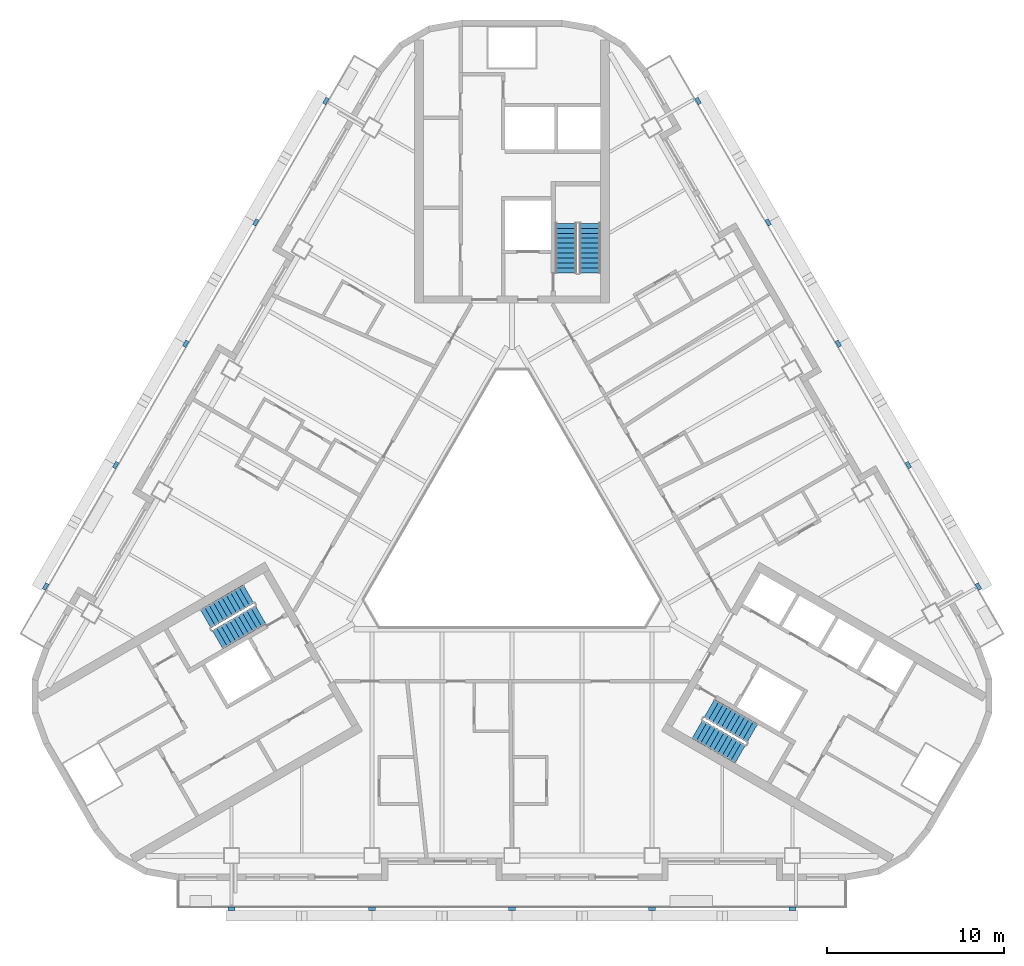
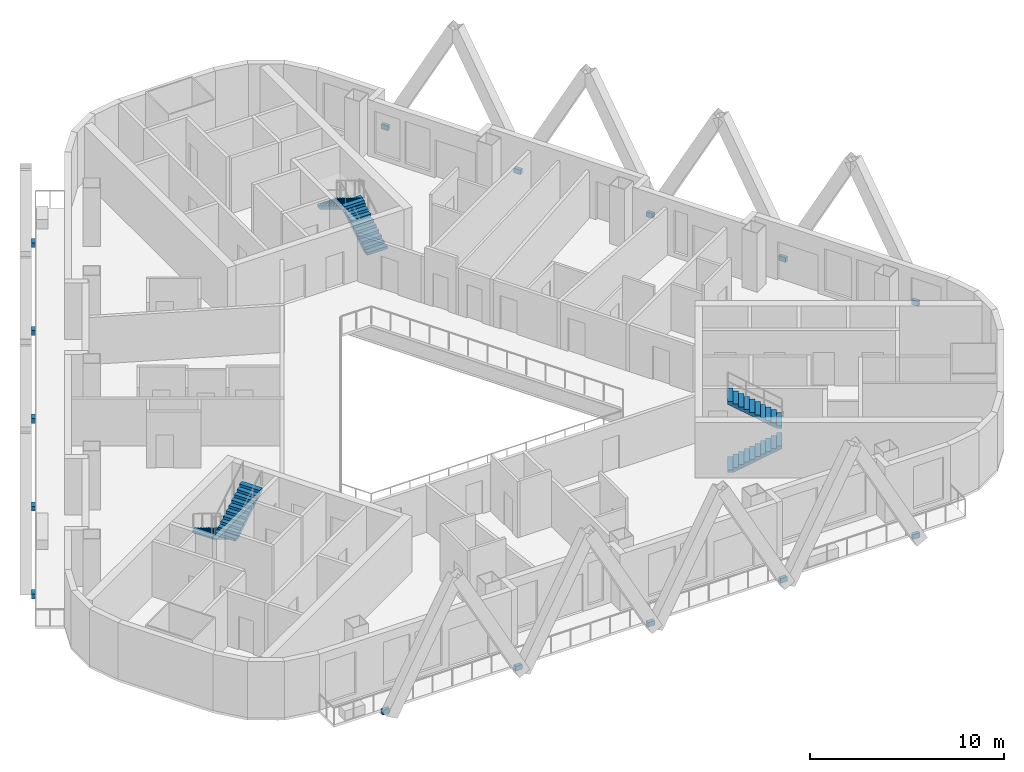
# One storey, part 8 of 14: 15 discrete accessories, 6 stair flights, 3 elements without a shape of their own.
"""IFC4 building model written with IfcOpenShell, lengths in metres."""

from ifc_helpers import new_model, si_unit, direction, frame, origin, origin_2d, place, context, subcontext, project, spatial, polyline, rectangle, outline, extrude, material, type_object, element, aggregate, save


model = new_model("IFC4")

# Units and contexts
model_context = context("Model", 3, precision=1e-05, world=origin(), true_north=direction((0.0, 1.0)))
body_context = subcontext(model_context, "Body", "Model", "MODEL_VIEW")
ifc_project = project(units=[si_unit("LENGTHUNIT", "METRE"), si_unit("AREAUNIT", "SQUARE_METRE"), si_unit("VOLUMEUNIT", "CUBIC_METRE"), si_unit("PLANEANGLEUNIT", "RADIAN"), si_unit("MASSUNIT", "GRAM", prefix="KILO")], contexts=[model_context])

# Site, building, storey
site_placement = place(None, origin())
site = spatial("IfcSite", under=ifc_project, at=site_placement, CompositionType="ELEMENT")
building_placement = place(site_placement, origin())
building = spatial("IfcBuilding", under=site, at=building_placement, Name="Apuvela Tower Hotel", CompositionType="ELEMENT")
storey_placement = place(building_placement, frame((0.0, 0.0, 120.5)))
storey = spatial("IfcBuildingStorey", under=building, at=storey_placement, Name="L28", CompositionType="ELEMENT", Elevation=120.5)

# Stair, stair flights
ifc_material_1 = material(Name="Concrete C50/60", Category="concrete")
stair_type = type_object("IfcStairType", Name="COR-STAIR-22R", PredefinedType="HALF_TURN_STAIR", material=ifc_material_1)
stair_1_placement = place(storey_placement, origin())
stair_1 = element("IfcStair", 1, at=stair_1_placement, inside=storey, type_object=stair_type, Name="L28 Exit stair ST1", PredefinedType="HALF_TURN_STAIR")
stair_flight_type = type_object("IfcStairFlightType", Name="COR-FLIGHT-11R", PredefinedType="STRAIGHT", material=ifc_material_1)
stair_flight_1_placement = place(storey_placement, frame((4.39990234375, 14.60009765625, 0.0), z_axis=(0.0, 0.0, 1.0), x_axis=(0.0, 1.0, 0.0)))
stair_flight_1 = element("IfcStairFlight", 2, at=stair_flight_1_placement, type_object=stair_flight_type, Name="ST1 flight 1", NumberOfRisers=11, NumberOfTreads=10, PredefinedType="STRAIGHT", RiserHeight=0.168181818, TreadLength=0.28, context=body_context, shape_type="SweptSolid", body=[
    extrude(outline(polyline([(0.0, 0.0), (0.0, 0.168212890625), (0.280029296875, 0.168212890625), (0.280029296875, 0.33642578125), (0.56005859375, 0.33642578125), (0.56005859375, 0.504638671875), (0.840087890625, 0.504638671875), (0.840087890625, 0.672607421875), (1.1201171875, 0.672607421875), (1.1201171875, 0.8408203125), (1.39990234375, 0.8408203125), (1.39990234375, 1.009033203125), (1.679931640625, 1.009033203125), (1.679931640625, 1.17724609375), (1.9599609375, 1.17724609375), (1.9599609375, 1.345458984375), (2.239990234375, 1.345458984375), (2.239990234375, 1.513671875), (2.52001953125, 1.513671875), (2.52001953125, 1.681884765625), (2.800048828125, 1.681884765625), (2.800048828125, 1.85009765625), (2.800048828125, 1.5068359375), (0.291015625, 0.0), (0.0, 0.0)])), frame((0.0, 0.60009765625, 0.0), z_axis=(0.0, -1.0, 0.0), x_axis=(1.0, 0.0, 0.0)), (0.0, 0.0, 1.0), 1.199951171875),
])
stair_flight_2_placement = place(storey_placement, frame((3.050048828125, 17.39990234375, 1.85009765625), z_axis=(0.0, 0.0, 1.0), x_axis=(0.0, -1.0, 0.0)))
stair_flight_2 = element("IfcStairFlight", 3, at=stair_flight_2_placement, type_object=stair_flight_type, Name="ST1 flight 2", NumberOfRisers=11, NumberOfTreads=10, PredefinedType="STRAIGHT", RiserHeight=0.168181818, TreadLength=0.28, context=body_context, shape_type="SweptSolid", body=[
    extrude(outline(polyline([(0.0, 0.0), (0.0, 0.168212890625), (0.280029296875, 0.168212890625), (0.280029296875, 0.33642578125), (0.56005859375, 0.33642578125), (0.56005859375, 0.504638671875), (0.840087890625, 0.504638671875), (0.840087890625, 0.672607421875), (1.1201171875, 0.672607421875), (1.1201171875, 0.8408203125), (1.39990234375, 0.8408203125), (1.39990234375, 1.009033203125), (1.679931640625, 1.009033203125), (1.679931640625, 1.17724609375), (1.9599609375, 1.17724609375), (1.9599609375, 1.345458984375), (2.239990234375, 1.345458984375), (2.239990234375, 1.513671875), (2.52001953125, 1.513671875), (2.52001953125, 1.681884765625), (2.800048828125, 1.681884765625), (2.800048828125, 1.85009765625), (2.800048828125, 1.5068359375), (0.291015625, 0.0), (0.0, 0.0)])), frame((0.0, 0.60009765625, 0.0), z_axis=(0.0, -1.0, 0.0), x_axis=(1.0, 0.0, 0.0)), (0.0, 0.0, 1.0), 1.199951171875),
])
aggregate(stair_1, [stair_flight_1, stair_flight_2])

stair_2_placement = place(storey_placement, origin())
stair_2 = element("IfcStair", 4, at=stair_2_placement, inside=storey, type_object=stair_type, Name="L28 Exit stair ST2", PredefinedType="HALF_TURN_STAIR")
stair_flight_3_placement = place(storey_placement, frame((-14.843994140625, -3.489501953125, 0.0), z_axis=(0.0, 0.0, 1.0), x_axis=(-0.866025403784, -0.5, 0.0)))
stair_flight_3 = element("IfcStairFlight", 5, at=stair_flight_3_placement, type_object=stair_flight_type, Name="ST2 flight 1", NumberOfRisers=11, NumberOfTreads=10, PredefinedType="STRAIGHT", RiserHeight=0.168181818, TreadLength=0.28, context=body_context, shape_type="SweptSolid", body=[
    extrude(outline(polyline([(0.0, 0.0), (0.0, 0.168212890625), (0.280029296875, 0.168212890625), (0.280029296875, 0.33642578125), (0.56005859375, 0.33642578125), (0.56005859375, 0.504638671875), (0.840087890625, 0.504638671875), (0.840087890625, 0.672607421875), (1.1201171875, 0.672607421875), (1.1201171875, 0.8408203125), (1.39990234375, 0.8408203125), (1.39990234375, 1.009033203125), (1.679931640625, 1.009033203125), (1.679931640625, 1.17724609375), (1.9599609375, 1.17724609375), (1.9599609375, 1.345458984375), (2.239990234375, 1.345458984375), (2.239990234375, 1.513671875), (2.52001953125, 1.513671875), (2.52001953125, 1.681884765625), (2.800048828125, 1.681884765625), (2.800048828125, 1.85009765625), (2.800048828125, 1.5068359375), (0.291015625, 0.0), (0.0, 0.0)])), frame((0.0, 0.60009765625, 0.0), z_axis=(0.0, -1.0, 0.0), x_axis=(1.0, 0.0, 0.0)), (0.0, 0.0, 1.0), 1.199951171875),
])
stair_flight_4_placement = place(storey_placement, frame((-16.59375, -6.05859375, 1.85009765625), z_axis=(0.0, 0.0, 1.0), x_axis=(0.866025403784, 0.5, 0.0)))
stair_flight_4 = element("IfcStairFlight", 6, at=stair_flight_4_placement, type_object=stair_flight_type, Name="ST2 flight 2", NumberOfRisers=11, NumberOfTreads=10, PredefinedType="STRAIGHT", RiserHeight=0.168181818, TreadLength=0.28, context=body_context, shape_type="SweptSolid", body=[
    extrude(outline(polyline([(0.0, 0.0), (0.0, 0.168212890625), (0.280029296875, 0.168212890625), (0.280029296875, 0.33642578125), (0.56005859375, 0.33642578125), (0.56005859375, 0.504638671875), (0.840087890625, 0.504638671875), (0.840087890625, 0.672607421875), (1.1201171875, 0.672607421875), (1.1201171875, 0.8408203125), (1.39990234375, 0.8408203125), (1.39990234375, 1.009033203125), (1.679931640625, 1.009033203125), (1.679931640625, 1.17724609375), (1.9599609375, 1.17724609375), (1.9599609375, 1.345458984375), (2.239990234375, 1.345458984375), (2.239990234375, 1.513671875), (2.52001953125, 1.513671875), (2.52001953125, 1.681884765625), (2.800048828125, 1.681884765625), (2.800048828125, 1.85009765625), (2.800048828125, 1.5068359375), (0.291015625, 0.0), (0.0, 0.0)])), frame((0.0, 0.60009765625, 0.0), z_axis=(0.0, -1.0, 0.0), x_axis=(1.0, 0.0, 0.0)), (0.0, 0.0, 1.0), 1.199951171875),
])
aggregate(stair_2, [stair_flight_3, stair_flight_4])

stair_3_placement = place(storey_placement, origin())
stair_3 = element("IfcStair", 7, at=stair_3_placement, inside=storey, type_object=stair_type, Name="L28 Exit stair ST3", PredefinedType="HALF_TURN_STAIR")
stair_flight_5_placement = place(storey_placement, frame((10.444091796875, -11.110595703125, 0.0), z_axis=(0.0, 0.0, 1.0), x_axis=(0.866025403784, -0.5, 0.0)))
stair_flight_5 = element("IfcStairFlight", 8, at=stair_flight_5_placement, type_object=stair_flight_type, Name="ST3 flight 1", NumberOfRisers=11, NumberOfTreads=10, PredefinedType="STRAIGHT", RiserHeight=0.168181818, TreadLength=0.28, context=body_context, shape_type="SweptSolid", body=[
    extrude(outline(polyline([(0.0, 0.0), (0.0, 0.168212890625), (0.280029296875, 0.168212890625), (0.280029296875, 0.33642578125), (0.56005859375, 0.33642578125), (0.56005859375, 0.504638671875), (0.840087890625, 0.504638671875), (0.840087890625, 0.672607421875), (1.1201171875, 0.672607421875), (1.1201171875, 0.8408203125), (1.39990234375, 0.8408203125), (1.39990234375, 1.009033203125), (1.679931640625, 1.009033203125), (1.679931640625, 1.17724609375), (1.9599609375, 1.17724609375), (1.9599609375, 1.345458984375), (2.239990234375, 1.345458984375), (2.239990234375, 1.513671875), (2.52001953125, 1.513671875), (2.52001953125, 1.681884765625), (2.800048828125, 1.681884765625), (2.800048828125, 1.85009765625), (2.800048828125, 1.5068359375), (0.291015625, 0.0), (0.0, 0.0)])), frame((0.0, 0.60009765625, 0.0), z_axis=(0.0, -1.0, 0.0), x_axis=(1.0, 0.0, 0.0)), (0.0, 0.0, 1.0), 1.199951171875),
])
stair_flight_6_placement = place(storey_placement, frame((13.5439453125, -11.34130859375, 1.85009765625), z_axis=(0.0, 0.0, 1.0), x_axis=(-0.866025403784, 0.5, 0.0)))
stair_flight_6 = element("IfcStairFlight", 9, at=stair_flight_6_placement, type_object=stair_flight_type, Name="ST3 flight 2", NumberOfRisers=11, NumberOfTreads=10, PredefinedType="STRAIGHT", RiserHeight=0.168181818, TreadLength=0.28, context=body_context, shape_type="SweptSolid", body=[
    extrude(outline(polyline([(0.0, 0.0), (0.0, 0.168212890625), (0.280029296875, 0.168212890625), (0.280029296875, 0.33642578125), (0.56005859375, 0.33642578125), (0.56005859375, 0.504638671875), (0.840087890625, 0.504638671875), (0.840087890625, 0.672607421875), (1.1201171875, 0.672607421875), (1.1201171875, 0.8408203125), (1.39990234375, 0.8408203125), (1.39990234375, 1.009033203125), (1.679931640625, 1.009033203125), (1.679931640625, 1.17724609375), (1.9599609375, 1.17724609375), (1.9599609375, 1.345458984375), (2.239990234375, 1.345458984375), (2.239990234375, 1.513671875), (2.52001953125, 1.513671875), (2.52001953125, 1.681884765625), (2.800048828125, 1.681884765625), (2.800048828125, 1.85009765625), (2.800048828125, 1.5068359375), (0.291015625, 0.0), (0.0, 0.0)])), frame((0.0, 0.60009765625, 0.0), z_axis=(0.0, -1.0, 0.0), x_axis=(1.0, 0.0, 0.0)), (0.0, 0.0, 1.0), 1.199951171875),
])
aggregate(stair_3, [stair_flight_5, stair_flight_6])

# Discrete accessories
ifc_material_2 = material(Name="Steel S355, black paint system", Category="steel")
discrete_accessory_type = type_object("IfcDiscreteAccessoryType", Name="ENV-FIN-BRACKET", PredefinedType="BRACKET", material=ifc_material_2)
for number, where, z_axis, x_axis, name in (
    (10, (26.28564453125, -3.068115234375, -0.25), (0.0, 0.0, 1.0), (-0.5, 0.866025403784, 0.0), "Fin bracket NE46"),
    (11, (22.335693359375, 3.7734375, -0.25), (0.0, 0.0, 1.0), (-0.5, 0.866025403784, 0.0), "Fin bracket NE47"),
    (12, (18.3857421875, 10.614990234375, -0.25), (0.0, 0.0, 1.0), (-0.5, 0.866025403784, 0.0), "Fin bracket NE48"),
    (13, (14.435791015625, 17.45654296875, -0.25), (0.0, 0.0, 1.0), (-0.5, 0.866025403784, 0.0), "Fin bracket NE49"),
    (14, (10.485595703125, 24.298095703125, -0.25), (0.0, 0.0, 1.0), (-0.5, 0.866025403784, 0.0), "Fin bracket NE50"),
    (15, (-10.485595703125, 24.298095703125, -0.25), (0.0, 0.0, 1.0), (-0.5, -0.866025403784, 0.0), "Fin bracket NW195"),
    (16, (-14.435791015625, 17.45654296875, -0.25), (0.0, 0.0, 1.0), (-0.5, -0.866025403784, 0.0), "Fin bracket NW196"),
    (17, (-18.3857421875, 10.614990234375, -0.25), (0.0, 0.0, 1.0), (-0.5, -0.866025403784, 0.0), "Fin bracket NW197"),
    (18, (-22.335693359375, 3.7734375, -0.25), (0.0, 0.0, 1.0), (-0.5, -0.866025403784, 0.0), "Fin bracket NW198"),
    (19, (-26.28564453125, -3.068115234375, -0.25), (0.0, 0.0, 1.0), (-0.5, -0.866025403784, 0.0), "Fin bracket NW199"),
    (20, (-15.800048828125, -21.22998046875, -0.25), (0.0, 0.0, 1.0), (1.0, 0.0, 0.0), "Fin bracket S345"),
    (21, (-7.89990234375, -21.22998046875, -0.25), (0.0, 0.0, 1.0), (1.0, 0.0, 0.0), "Fin bracket S346"),
    (22, (0.0, -21.22998046875, -0.25), (0.0, 0.0, 1.0), (1.0, 0.0, 0.0), "Fin bracket S347"),
    (23, (7.89990234375, -21.22998046875, -0.25), (0.0, 0.0, 1.0), (1.0, 0.0, 0.0), "Fin bracket S348"),
    (24, (15.800048828125, -21.22998046875, -0.25), (0.0, 0.0, 1.0), (1.0, 0.0, 0.0), "Fin bracket S349"),
):
    element("IfcDiscreteAccessory", number, at=place(storey_placement, frame(where, z_axis=z_axis, x_axis=x_axis)), inside=storey, type_object=discrete_accessory_type, Name=name, PredefinedType="BRACKET", context=body_context, shape_type="SweptSolid", body=[
        extrude(rectangle(XDim=0.39990234375, YDim=0.199951171875, at=origin_2d()), origin(), (0.0, 0.0, 1.0), 0.300048828125),
    ])

save(model, "model.ifc")
